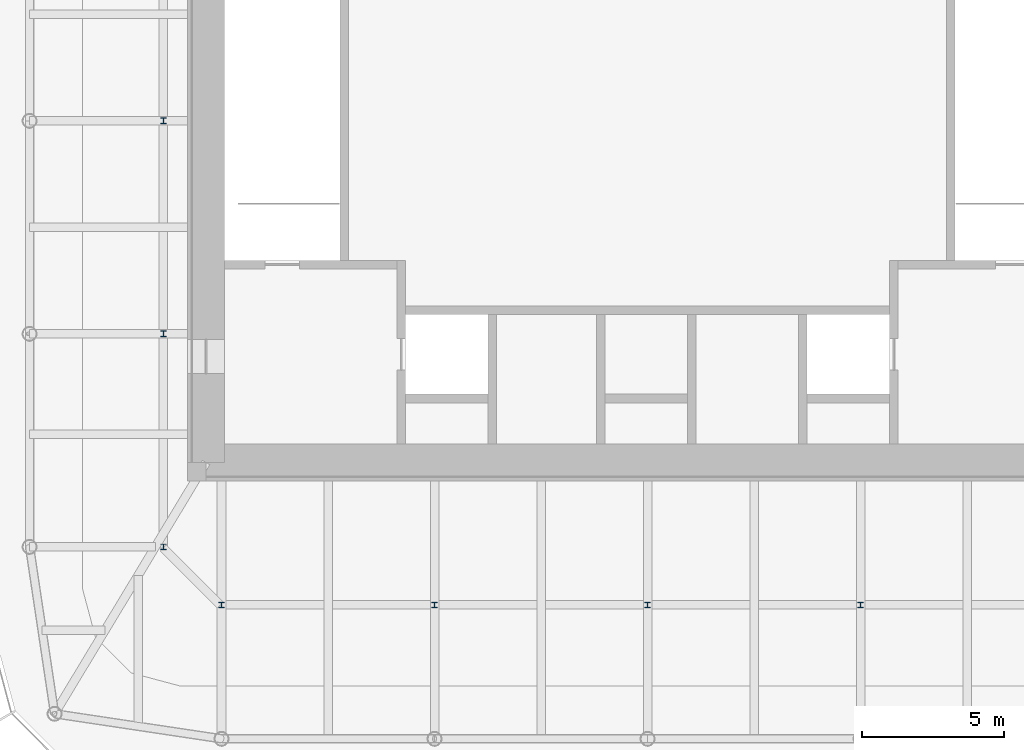
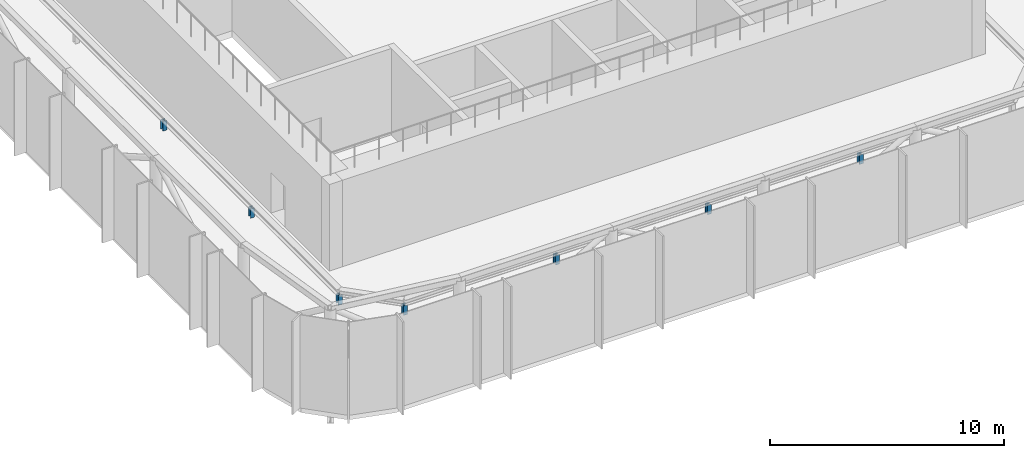
# One storey, part 5 of 12: 7 members.
"""IFC4 building model written with IfcOpenShell, lengths in metres."""

from ifc_helpers import new_model, si_unit, direction, frame, origin, origin_2d, place, context, subcontext, project, spatial, i_section, extrude, material, material_profile, profile_set, type_object, element, save


model = new_model("IFC4")

# Units and contexts
model_context = context("Model", 3, precision=1e-05, world=origin(), true_north=direction((0.0, 1.0)))
body_context = subcontext(model_context, "Body", "Model", "MODEL_VIEW")
ifc_project = project(units=[si_unit("LENGTHUNIT", "METRE"), si_unit("AREAUNIT", "SQUARE_METRE"), si_unit("VOLUMEUNIT", "CUBIC_METRE"), si_unit("PLANEANGLEUNIT", "RADIAN"), si_unit("MASSUNIT", "GRAM", prefix="KILO")], contexts=[model_context])

# Site, building, storey
site_placement = place(None, origin())
site = spatial("IfcSite", under=ifc_project, at=site_placement, CompositionType="ELEMENT")
building_placement = place(site_placement, origin())
building = spatial("IfcBuilding", under=site, at=building_placement, Name="Khuree Lantern Residences", CompositionType="ELEMENT")
storey_placement = place(building_placement, frame((0.0, 0.0, 363.25)))
storey = spatial("IfcBuildingStorey", under=building, at=storey_placement, Name="RF", CompositionType="ELEMENT", Elevation=363.25)

# Members
ifc_material = material(Name="Steel S355", Category="steel")
ifc_material_profile = material_profile(ifc_material, i_section(OverallWidth=0.199951171875, OverallDepth=0.199951171875, WebThickness=0.009033203125, FlangeThickness=0.014892578125, FilletRadius=0.01806640625, at=origin_2d()), Name="HE 200 B")
ifc_profile_set = profile_set([ifc_material_profile], Name="Steel S355")
member_type = type_object("IfcMemberType", Name="BM2 GANTRY TRACK PEDESTAL HE 200 B", PredefinedType="POST", material=ifc_profile_set)
for number, where, z_axis, x_axis, name in (
    (1, (-14.9599609375, -17.0, 0.0), (0.0, 0.0, 1.0), (1.0, 0.0, 0.0), "Gantry track pedestal 1"),
    (2, (-7.47998046875, -17.0, 0.0), (0.0, 0.0, 1.0), (1.0, 0.0, 0.0), "Gantry track pedestal 2"),
    (3, (0.0, -17.0, 0.0), (0.0, 0.0, 1.0), (1.0, 0.0, 0.0), "Gantry track pedestal 3"),
    (4, (7.47998046875, -17.0, 0.0), (0.0, 0.0, 1.0), (1.0, 0.0, 0.0), "Gantry track pedestal 4"),
    (5, (-17.0, 0.0, 0.0), (0.0, 0.0, 1.0), (1.0, 0.0, 0.0), "Gantry track pedestal 18"),
    (6, (-17.0, -7.47998046875, 0.0), (0.0, 0.0, 1.0), (1.0, 0.0, 0.0), "Gantry track pedestal 19"),
    (7, (-17.0, -14.9599609375, 0.0), (0.0, 0.0, 1.0), (1.0, 0.0, 0.0), "Gantry track pedestal 20"),
):
    element("IfcMember", number, at=place(storey_placement, frame(where, z_axis=z_axis, x_axis=x_axis)), inside=storey, type_object=member_type, Name=name, PredefinedType="POST", context=body_context, shape_type="SweptSolid", body=[
        extrude(i_section(OverallWidth=0.199951171875, OverallDepth=0.199951171875, WebThickness=0.009033203125, FlangeThickness=0.014892578125, FilletRadius=0.01806640625, at=origin_2d()), origin(), (0.0, 0.0, 1.0), 0.5),
    ])

save(model, "model.ifc")
